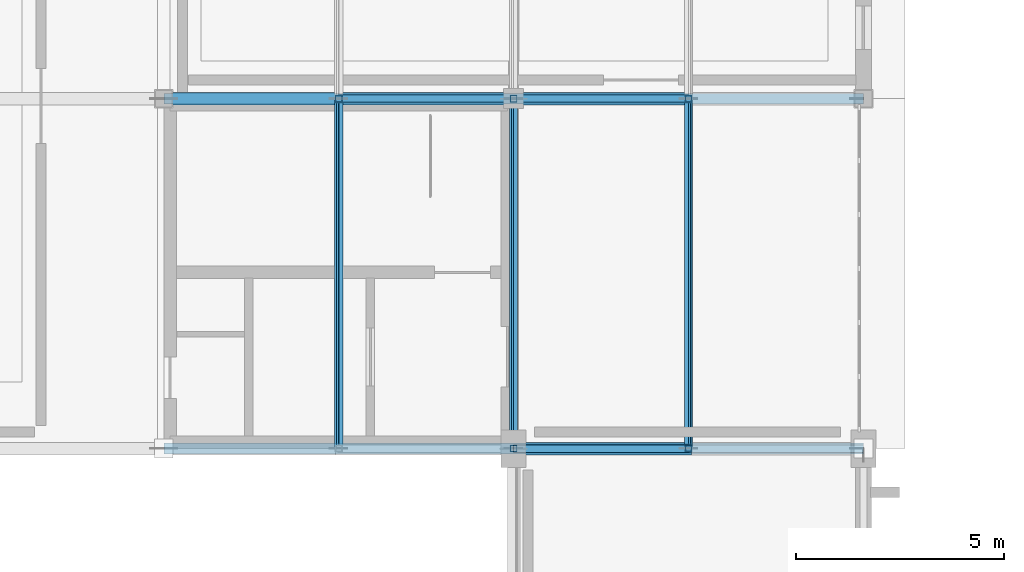
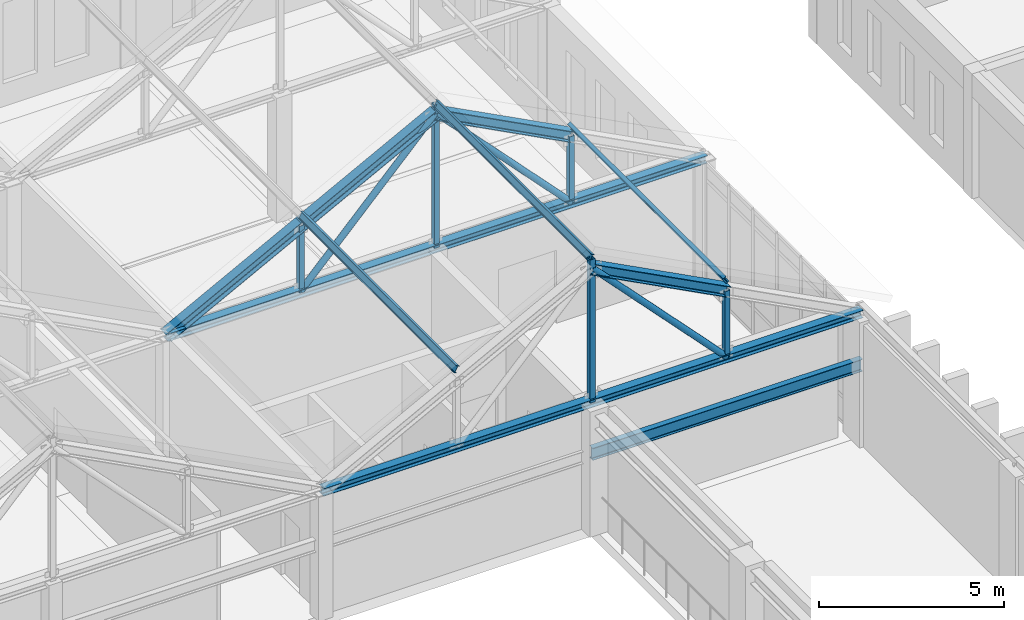
# One storey, part 73 of 192: 17 members, 1 beam.
"""IFC4 building model written with IfcOpenShell, lengths in metres."""

from ifc_helpers import new_model, si_unit, direction, frame, origin, origin_2d, place, context, subcontext, project, spatial, hollow_rectangle, hollow_circle, i_section, extrude, material, material_profile, profile_set, type_object, element, save


model = new_model("IFC4")

# Units and contexts
model_context = context("Model", 3, precision=1e-05, world=origin(), true_north=direction((0.0, 1.0)))
body_context = subcontext(model_context, "Body", "Model", "MODEL_VIEW")
ifc_project = project(units=[si_unit("LENGTHUNIT", "METRE"), si_unit("AREAUNIT", "SQUARE_METRE"), si_unit("VOLUMEUNIT", "CUBIC_METRE"), si_unit("PLANEANGLEUNIT", "RADIAN"), si_unit("MASSUNIT", "GRAM", prefix="KILO")], contexts=[model_context])

# Site, building, storey
site_placement = place(None, origin())
site = spatial("IfcSite", under=ifc_project, at=site_placement, CompositionType="ELEMENT")
building_placement = place(site_placement, origin())
building = spatial("IfcBuilding", under=site, at=building_placement, Name="Kveldsbrygga Polytechnic", CompositionType="ELEMENT")
storey_placement = place(building_placement, frame((0.0, 0.0, 5.43994140625)))
storey = spatial("IfcBuildingStorey", under=building, at=storey_placement, Name="L01", CompositionType="ELEMENT", Elevation=5.43994140625)

# Beam
ifc_material = material(Name="Steel S355", Category="steel")
ifc_material_profile_1 = material_profile(ifc_material, i_section(OverallWidth=0.179931640625, OverallDepth=0.39990234375, WebThickness=0.008544921875, FlangeThickness=0.013427734375, FilletRadius=0.02099609375, at=origin_2d()), Name="IPE 400")
ifc_profile_set_1 = profile_set([ifc_material_profile_1], Name="Steel S355")
beam_type = type_object("IfcBeamType", Name="BM-STL-IPE400", PredefinedType="BEAM", material=ifc_profile_set_1)
beam_placement = place(storey_placement, frame((25.199951171875, 84.0, 2.41015625), z_axis=(1.0, 0.0, 0.0), x_axis=(0.0, 1.0, 0.0)))
element("IfcBeam", 1, at=beam_placement, inside=storey, type_object=beam_type, Name="Workshop Girt Beam BMX-V1GRT-L01-N-03", PredefinedType="BEAM", context=body_context, shape_type="SweptSolid", body=[
    extrude(i_section(OverallWidth=0.179931640625, OverallDepth=0.39990234375, WebThickness=0.008544921875, FlangeThickness=0.013427734375, FilletRadius=0.02099609375, at=origin_2d()), origin(), (0.0, 0.0, 1.0), 8.400146484375),
])

# Members
ifc_material_profile_2 = material_profile(ifc_material, i_section(OverallWidth=0.110107421875, OverallDepth=0.219970703125, WebThickness=0.005859375, FlangeThickness=0.00927734375, FilletRadius=0.011962890625, at=origin_2d()), Name="IPE 220")
ifc_profile_set_2 = profile_set([ifc_material_profile_2], Name="Steel S355")
member_type_1 = type_object("IfcMemberType", Name="PRL-IPE220", PredefinedType="PURLIN", material=ifc_profile_set_2)
for number, where, z_axis, x_axis, name in (
    (2, (21.0, 84.0, 6.630615234375), (0.0, 1.0, 0.0), (-0.885831335765, 0.0, 0.464007375564), "Roof Purlin V1N2-PRL-1-1"),
    (3, (25.199951171875, 84.0, 8.83056640625), (0.0, 1.0, 0.0), (-0.885831335765, 0.0, 0.464007375564), "Roof Purlin V1N2-PRL-1-2"),
    (4, (29.39990234375, 84.0, 6.630615234375), (0.0, 1.0, 0.0), (-0.885831335765, 0.0, -0.464007375564), "Roof Purlin V1N2-PRL-1-3"),
):
    element("IfcMember", number, at=place(storey_placement, frame(where, z_axis=z_axis, x_axis=x_axis)), inside=storey, type_object=member_type_1, Name=name, PredefinedType="PURLIN", context=body_context, shape_type="SweptSolid", body=[
        extrude(i_section(OverallWidth=0.110107421875, OverallDepth=0.219970703125, WebThickness=0.005859375, FlangeThickness=0.00927734375, FilletRadius=0.011962890625, at=origin_2d()), origin(), (0.0, 0.0, 1.0), 8.39990234375),
    ])
ifc_material_profile_3 = material_profile(ifc_material, i_section(OverallWidth=0.260009765625, OverallDepth=0.25, WebThickness=0.007568359375, FlangeThickness=0.012451171875, FilletRadius=0.02392578125, at=origin_2d()), Name="HEA 260")
ifc_profile_set_3 = profile_set([ifc_material_profile_3], Name="Steel S355")
member_type_2 = type_object("IfcMemberType", Name="TR-BOT-HEA260", PredefinedType="CHORD", material=ifc_profile_set_3)
for number, where, z_axis, x_axis, name in (
    (5, (16.800048828125, 84.0, 4.1201171875), (1.0, 0.0, 0.0), (0.0, 1.0, 0.0), "Truss Bottom Chord V1N2-T01-BC-1"),
    (6, (16.800048828125, 92.39990234375, 4.1201171875), (1.0, 0.0, 0.0), (0.0, 1.0, 0.0), "Truss Bottom Chord V1N2-T02-BC-1"),
):
    element("IfcMember", number, at=place(storey_placement, frame(where, z_axis=z_axis, x_axis=x_axis)), inside=storey, type_object=member_type_2, Name=name, PredefinedType="CHORD", context=body_context, shape_type="SweptSolid", body=[
        extrude(i_section(OverallWidth=0.260009765625, OverallDepth=0.25, WebThickness=0.007568359375, FlangeThickness=0.012451171875, FilletRadius=0.02392578125, at=origin_2d()), origin(), (0.0, 0.0, 1.0), 16.800048828125),
    ])
ifc_material_profile_4 = material_profile(ifc_material, hollow_circle(Radius=0.096923828125, WallThickness=0.010009765625, at=origin_2d()), Name="CHS 193.7x10.0")
ifc_profile_set_4 = profile_set([ifc_material_profile_4], Name="Steel S355")
member_type_3 = type_object("IfcMemberType", Name="TR-DIAG-CHS194", PredefinedType="BRACE", material=ifc_profile_set_4)
for number, where, z_axis, x_axis, name in (
    (7, (25.199951171875, 84.0, 8.52001953125), (0.690479565127, 0.0, -0.723351899245), (0.0, 1.0, 0.0), "Truss Diagonal V1N2-T01-DG-3"),
    (8, (21.0, 92.39990234375, 4.1201171875), (0.690479565127, 0.0, 0.723351899245), (0.0, 1.0, 0.0), "Truss Diagonal V1N2-T02-DG-2"),
    (9, (25.199951171875, 92.39990234375, 8.52001953125), (0.690479565127, 0.0, -0.723351899245), (0.0, 1.0, 0.0), "Truss Diagonal V1N2-T02-DG-3"),
):
    element("IfcMember", number, at=place(storey_placement, frame(where, z_axis=z_axis, x_axis=x_axis)), inside=storey, type_object=member_type_3, Name=name, PredefinedType="BRACE", context=body_context, shape_type="SweptSolid", body=[
        extrude(hollow_circle(Radius=0.096923828125, WallThickness=0.010009765625, at=origin_2d()), origin(), (0.0, 0.0, 1.0), 6.082763671875),
    ])
ifc_material_profile_5 = material_profile(ifc_material, hollow_rectangle(XDim=0.159912109375, YDim=0.159912109375, WallThickness=0.010009765625, at=origin_2d()), Name="SHS 160x160x10.0")
ifc_profile_set_5 = profile_set([ifc_material_profile_5], Name="Steel S355")
member_type_4 = type_object("IfcMemberType", Name="TR-POST-SHS160", PredefinedType="STRUT", material=ifc_profile_set_5)
member_1_placement = place(storey_placement, frame((25.199951171875, 84.0, 4.1201171875), z_axis=(0.0, 0.0, 1.0), x_axis=(1.0, 0.0, 0.0)))
element("IfcMember", 10, at=member_1_placement, inside=storey, type_object=member_type_4, Name="Truss Vertical V1N2-T01-VT-2", PredefinedType="STRUT", context=body_context, shape_type="SweptSolid", body=[
    extrude(hollow_rectangle(XDim=0.159912109375, YDim=0.159912109375, WallThickness=0.010009765625, at=origin_2d()), origin(), (0.0, 0.0, 1.0), 4.71044921875),
])
for number, where, z_axis, x_axis, name in (
    (11, (29.39990234375, 84.0, 4.1201171875), (0.0, 0.0, 1.0), (1.0, 0.0, 0.0), "Truss Vertical V1N2-T01-VT-3"),
    (12, (21.0, 92.39990234375, 4.1201171875), (0.0, 0.0, 1.0), (1.0, 0.0, 0.0), "Truss Vertical V1N2-T02-VT-1"),
):
    element("IfcMember", number, at=place(storey_placement, frame(where, z_axis=z_axis, x_axis=x_axis)), inside=storey, type_object=member_type_4, Name=name, PredefinedType="STRUT", context=body_context, shape_type="SweptSolid", body=[
        extrude(hollow_rectangle(XDim=0.159912109375, YDim=0.159912109375, WallThickness=0.010009765625, at=origin_2d()), origin(), (0.0, 0.0, 1.0), 2.199951171875),
    ])
member_2_placement = place(storey_placement, frame((25.199951171875, 92.39990234375, 4.1201171875), z_axis=(0.0, 0.0, 1.0), x_axis=(1.0, 0.0, 0.0)))
element("IfcMember", 13, at=member_2_placement, inside=storey, type_object=member_type_4, Name="Truss Vertical V1N2-T02-VT-2", PredefinedType="STRUT", context=body_context, shape_type="SweptSolid", body=[
    extrude(hollow_rectangle(XDim=0.159912109375, YDim=0.159912109375, WallThickness=0.010009765625, at=origin_2d()), origin(), (0.0, 0.0, 1.0), 4.71044921875),
])
member_3_placement = place(storey_placement, frame((29.39990234375, 92.39990234375, 4.1201171875), z_axis=(0.0, 0.0, 1.0), x_axis=(1.0, 0.0, 0.0)))
element("IfcMember", 14, at=member_3_placement, inside=storey, type_object=member_type_4, Name="Truss Vertical V1N2-T02-VT-3", PredefinedType="STRUT", context=body_context, shape_type="SweptSolid", body=[
    extrude(hollow_rectangle(XDim=0.159912109375, YDim=0.159912109375, WallThickness=0.010009765625, at=origin_2d()), origin(), (0.0, 0.0, 1.0), 2.199951171875),
])
ifc_material_profile_6 = material_profile(ifc_material, i_section(OverallWidth=0.300048828125, OverallDepth=0.330078125, WebThickness=0.009521484375, FlangeThickness=0.0166015625, FilletRadius=0.027099609375, at=origin_2d()), Name="HEA 340")
ifc_profile_set_6 = profile_set([ifc_material_profile_6], Name="Steel S355")
member_type_5 = type_object("IfcMemberType", Name="TR-TOP-HEA340", PredefinedType="CHORD", material=ifc_profile_set_6)
for number, where, z_axis, x_axis, name in (
    (15, (25.199951171875, 84.0, 8.52001953125), (0.885833551011, 0.0, -0.464003146437), (0.0, 1.0, 0.0), "Truss Top Chord V1N2-T01-TC-3"),
    (16, (16.800048828125, 92.39990234375, 4.1201171875), (0.885833551011, 0.0, 0.464003146437), (0.0, 1.0, 0.0), "Truss Top Chord V1N2-T02-TC-1"),
    (17, (21.0, 92.39990234375, 6.320068359375), (0.885833551011, 0.0, 0.464003146437), (0.0, 1.0, 0.0), "Truss Top Chord V1N2-T02-TC-2"),
    (18, (25.199951171875, 92.39990234375, 8.52001953125), (0.885833551011, 0.0, -0.464003146437), (0.0, 1.0, 0.0), "Truss Top Chord V1N2-T02-TC-3"),
):
    element("IfcMember", number, at=place(storey_placement, frame(where, z_axis=z_axis, x_axis=x_axis)), inside=storey, type_object=member_type_5, Name=name, PredefinedType="CHORD", context=body_context, shape_type="SweptSolid", body=[
        extrude(i_section(OverallWidth=0.300048828125, OverallDepth=0.330078125, WebThickness=0.009521484375, FlangeThickness=0.0166015625, FilletRadius=0.027099609375, at=origin_2d()), origin(), (0.0, 0.0, 1.0), 4.7412109375),
    ])

save(model, "model.ifc")
